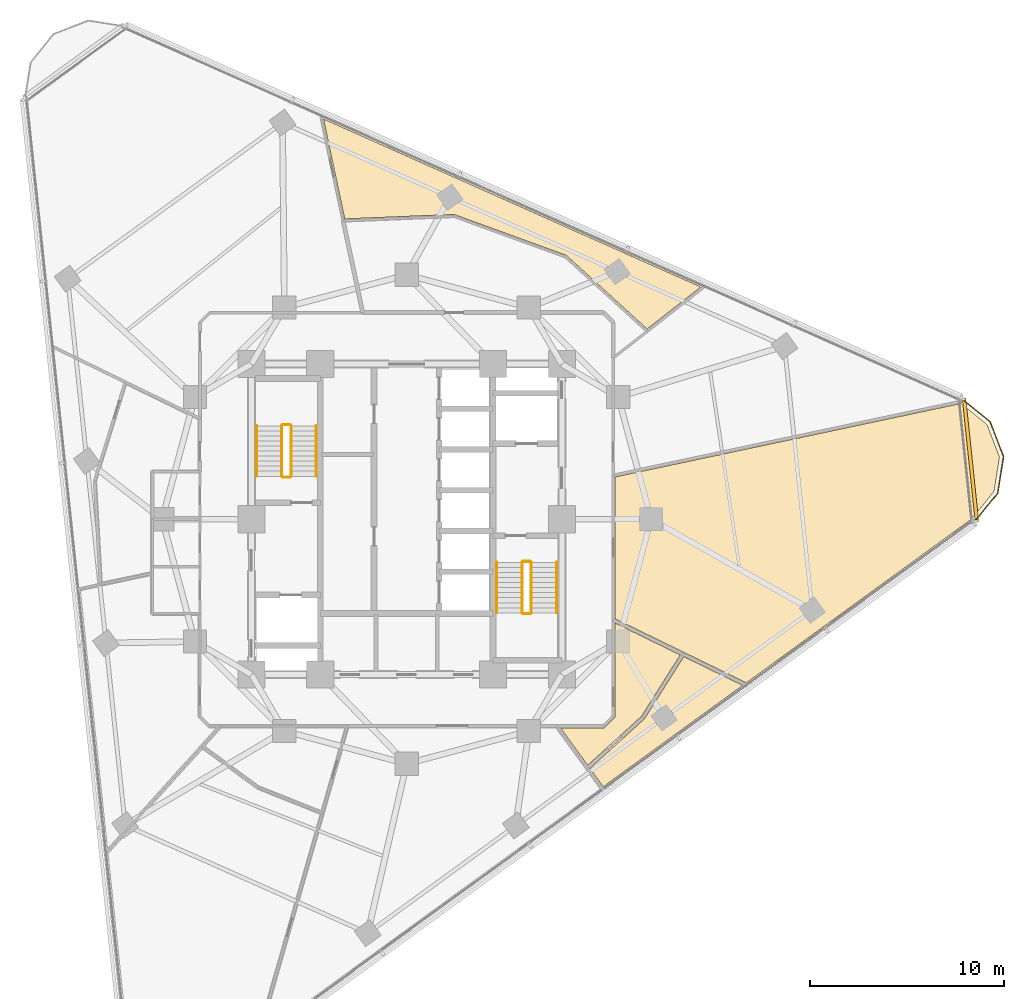
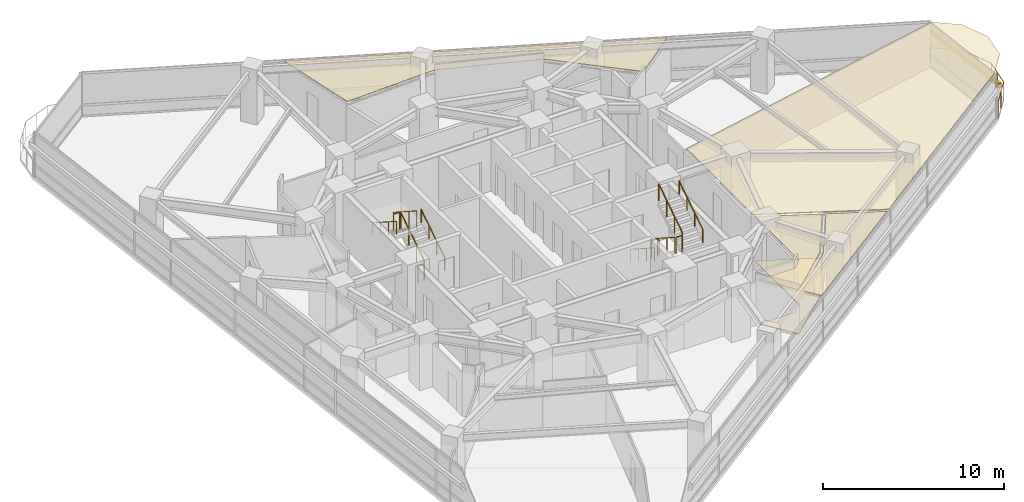
# One storey, part 13 of 14: 13 railings, 5 coverings, 1 shading device.
"""IFC4 building model written with IfcOpenShell, lengths in metres."""

from ifc_helpers import new_model, si_unit, direction, frame, origin, origin_2d, place, context, subcontext, project, spatial, polyline, rectangle, circle, outline, extrude, material, layer, layer_set, type_object, element, save


model = new_model("IFC4")

# Units and contexts
model_context = context("Model", 3, precision=1e-05, world=origin(), true_north=direction((0.0, 1.0)))
body_context = subcontext(model_context, "Body", "Model", "MODEL_VIEW")
ifc_project = project(units=[si_unit("LENGTHUNIT", "METRE"), si_unit("AREAUNIT", "SQUARE_METRE"), si_unit("VOLUMEUNIT", "CUBIC_METRE"), si_unit("PLANEANGLEUNIT", "RADIAN"), si_unit("MASSUNIT", "GRAM", prefix="KILO")], contexts=[model_context])

# Site, building, storey
site_placement = place(None, origin())
site = spatial("IfcSite", under=ifc_project, at=site_placement, CompositionType="ELEMENT")
building_placement = place(site_placement, origin())
building = spatial("IfcBuilding", under=site, at=building_placement, Name="Terralouvre Media Tower", CompositionType="ELEMENT")
storey_placement = place(building_placement, frame((0.0, 0.0, 169.39990234375)))
storey = spatial("IfcBuildingStorey", under=building, at=storey_placement, Name="L43", CompositionType="ELEMENT", Elevation=169.39990234375)

# Coverings
ifc_material_1 = material(Name="Resilient elastomer acoustic broadcast studio flooring")
ifc_layer_1 = layer(ifc_material_1, 0.050048828125, Name="Broadcast Studio Acoustic Floating Floor FL-AC1")
ifc_layer_set_1 = layer_set([ifc_layer_1], Name="Resilient elastomer acoustic broadcast studio flooring")
covering_type_1 = type_object("IfcCoveringType", Name="Broadcast Studio Acoustic Floating Floor FL-AC1", PredefinedType="FLOORING", material=ifc_layer_set_1)
covering_1_placement = place(storey_placement, frame((0.0, 0.0, 0.0), z_axis=(0.0, 0.0, 1.0), x_axis=(0.809016994375, 0.587785252292, 0.0)))
element("IfcCovering", 1, at=covering_1_placement, inside=storey, type_object=covering_type_1, Name="L43 Media Reference Library 5 Acoustic Floating Floor", PredefinedType="FLOORING", context=body_context, shape_type="SweptSolid", body=[
    extrude(outline(polyline([(3.822265625, -15.329345703125), (7.2998046875, -13.942626953125), (5.5498046875, -10.650146484375), (2.73095703125, -14.5302734375), (2.724853515625, -14.537841796875), (2.718017578125, -14.544921875), (2.71044921875, -14.55126953125), (2.7021484375, -14.556640625), (2.693603515625, -14.561279296875), (2.6845703125, -14.565185546875), (2.67529296875, -14.568115234375), (2.665771484375, -14.570068359375), (1.96728515625, -14.680908203125), (1.95751953125, -14.681884765625), (1.94775390625, -14.681884765625), (1.93798828125, -14.68115234375), (1.92822265625, -14.67919921875), (1.918701171875, -14.676513671875), (1.90966796875, -14.6728515625), (1.901123046875, -14.668212890625), (1.892822265625, -14.662841796875), (0.100341796875, -13.360595703125), (0.10009765625, -15.737548828125), (3.822265625, -15.329345703125)])), origin(), (0.0, 0.0, 1.0), 0.050048828125),
])
ifc_material_2 = material(Name="Perforated aluminium acoustic ceiling baffle", Category="aluminium")
ifc_layer_2 = layer(ifc_material_2, 0.0400390625, Name="Perforated Acoustic Metal Tile Ceiling CL-AC1")
ifc_layer_set_2 = layer_set([ifc_layer_2], Name="Perforated aluminium acoustic ceiling baffle")
covering_type_2 = type_object("IfcCoveringType", Name="Perforated Acoustic Metal Tile Ceiling CL-AC1", PredefinedType="CEILING", material=ifc_layer_set_2)
covering_2_placement = place(storey_placement, frame((0.0, 0.0, 2.97998046875), z_axis=(0.0, 0.0, 1.0), x_axis=(0.809016994375, 0.587785252292, 0.0)))
element("IfcCovering", 2, at=covering_2_placement, inside=storey, type_object=covering_type_2, Name="L43 Media Reference Library 5 Acoustic Ceiling", PredefinedType="CEILING", context=body_context, shape_type="SweptSolid", body=[
    extrude(outline(polyline([(3.822265625, -15.329345703125), (7.2998046875, -13.942626953125), (5.5498046875, -10.650146484375), (2.73095703125, -14.5302734375), (2.724853515625, -14.537841796875), (2.718017578125, -14.544921875), (2.71044921875, -14.55126953125), (2.7021484375, -14.556640625), (2.693603515625, -14.561279296875), (2.6845703125, -14.565185546875), (2.67529296875, -14.568115234375), (2.665771484375, -14.570068359375), (1.96728515625, -14.680908203125), (1.95751953125, -14.681884765625), (1.94775390625, -14.681884765625), (1.93798828125, -14.68115234375), (1.92822265625, -14.67919921875), (1.918701171875, -14.676513671875), (1.90966796875, -14.6728515625), (1.901123046875, -14.668212890625), (1.892822265625, -14.662841796875), (0.100341796875, -13.360595703125), (0.10009765625, -15.737548828125), (3.822265625, -15.329345703125)])), origin(), (0.0, 0.0, 1.0), 0.0400390625),
])
covering_3_placement = place(storey_placement, frame((0.0, 0.0, 2.97998046875), z_axis=(0.0, 0.0, 1.0), x_axis=(0.809016994375, 0.587785252292, 0.0)))
element("IfcCovering", 3, at=covering_3_placement, inside=storey, type_object=covering_type_2, Name="L43 Periodicals Reading Club 6 Acoustic Ceiling", PredefinedType="CEILING", context=body_context, shape_type="SweptSolid", body=[
    extrude(outline(polyline([(3.8837890625, -15.520263671875), (3.875244140625, -15.523193359375), (3.866455078125, -15.525390625), (3.857421875, -15.52685546875), (0.10009765625, -15.938720703125), (0.099609375, -17.105712890625), (8.98193359375, -17.10498046875), (7.394287109375, -14.1201171875), (3.8837890625, -15.520263671875)])), origin(), (0.0, 0.0, 1.0), 0.0400390625),
])
covering_4_placement = place(storey_placement, frame((0.0, 0.0, 2.97998046875), z_axis=(0.0, 0.0, 1.0), x_axis=(0.809016994375, 0.587785252292, 0.0)))
element("IfcCovering", 4, at=covering_4_placement, inside=storey, type_object=covering_type_2, Name="L43 Faculty Consultation Office 7 Acoustic Ceiling", PredefinedType="CEILING", context=body_context, shape_type="SweptSolid", body=[
    extrude(outline(polyline([(5.6806640625, -10.47021484375), (7.52880859375, -13.947021484375), (9.208251953125, -17.10498046875), (23.571044921875, -17.105224609375), (25.335693359375, -16.63232421875), (26.60693359375, -15.36181640625), (27.072509765625, -13.6259765625), (26.626953125, -11.964599609375), (9.97998046875, -4.552490234375), (5.6806640625, -10.47021484375)])), origin(), (0.0, 0.0, 1.0), 0.0400390625),
])
covering_5_placement = place(storey_placement, frame((0.0, 0.0, 2.97998046875), z_axis=(0.0, 0.0, 1.0), x_axis=(0.809016994375, 0.587785252292, 0.0)))
element("IfcCovering", 5, at=covering_5_placement, inside=storey, type_object=covering_type_2, Name="L43 Student Project Breakout Room 9 Acoustic Ceiling", PredefinedType="CEILING", context=body_context, shape_type="SweptSolid", body=[
    extrude(outline(polyline([(11.195068359375, 11.288330078125), (11.203125, 11.28271484375), (11.210205078125, 11.276123046875), (11.216796875, 11.26904296875), (11.22265625, 11.26123046875), (14.64501953125, 6.1875), (14.650146484375, 6.17919921875), (14.654296875, 6.17041015625), (14.65771484375, 6.1611328125), (14.66015625, 6.15185546875), (15.795654296875, 0.65185546875), (19.30419921875, 0.7744140625), (8.6611328125, 19.20849609375), (6.521728515625, 14.4013671875), (11.195068359375, 11.288330078125)])), origin(), (0.0, 0.0, 1.0), 0.0400390625),
])

# Railings
ifc_material_3 = material(Name="Stainless steel 316 handrail and balustrade", Category="steel")
ifc_layer_3 = layer(ifc_material_3, 0.06005859375, Name="Roof Edge Safety Guardrail GR-ROOF1")
ifc_layer_set_3 = layer_set([ifc_layer_3], Name="Stainless steel 316 handrail and balustrade")
railing_type_1 = type_object("IfcRailingType", Name="Roof Edge Safety Guardrail GR-ROOF1", PredefinedType="GUARDRAIL", material=ifc_layer_set_3)
railing_1_placement = place(storey_placement, frame((29.261474609375, -0.144775390625, 0.0)))
element("IfcRailing", 6, at=railing_1_placement, inside=storey, type_object=railing_type_1, Name="L43 Wind-Corner Perimeter Safety Guardrail C1", PredefinedType="GUARDRAIL", context=body_context, shape_type="SweptSolid", body=[
    extrude(circle(Radius=0.02099609375, at=origin_2d()), frame((0.0, 0.0, 1.12890625), z_axis=(0.629487951206, 0.777010244004, 0.0), x_axis=(-0.777010244004, 0.629487951206, 0.0)), (0.0, 0.0, 1.0), 1.914794921875),
    extrude(circle(Radius=0.02099609375, at=origin_2d()), frame((1.205322265625, 1.48779296875, 1.12890625), z_axis=(0.156493053434, 0.987679059324, 0.0), x_axis=(-0.987679059324, 0.156493053434, 0.0)), (0.0, 0.0, 1.0), 1.914306640625),
    extrude(circle(Radius=0.02099609375, at=origin_2d()), frame((1.5048828125, 3.37841796875, 1.12890625), z_axis=(-0.358380762009, 0.933575508152, 0.0), x_axis=(-0.933575508152, -0.358380762009, 0.0)), (0.0, 0.0, 1.0), 1.914306640625),
    extrude(circle(Radius=0.02099609375, at=origin_2d()), frame((0.81884765625, 5.16552734375, 1.12890625), z_axis=(-0.777298317119, 0.629132200896, 0.0), x_axis=(-0.629132200896, -0.777298317119, 0.0)), (0.0, 0.0, 1.0), 1.914794921875),
    extrude(circle(Radius=0.01904296875, at=origin_2d()), origin(), (0.0, 0.0, 1.0), 1.10791015625),
    extrude(circle(Radius=0.01904296875, at=origin_2d()), frame((0.6025390625, 0.743896484375, 0.0)), (0.0, 0.0, 1.0), 1.10791015625),
    extrude(circle(Radius=0.01904296875, at=origin_2d()), frame((1.205322265625, 1.48779296875, 0.0)), (0.0, 0.0, 1.0), 1.10791015625),
    extrude(circle(Radius=0.01904296875, at=origin_2d()), frame((1.35498046875, 2.43310546875, 0.0)), (0.0, 0.0, 1.0), 1.10791015625),
    extrude(circle(Radius=0.01904296875, at=origin_2d()), frame((1.5048828125, 3.37841796875, 0.0)), (0.0, 0.0, 1.0), 1.10791015625),
    extrude(circle(Radius=0.01904296875, at=origin_2d()), frame((1.161865234375, 4.27197265625, 0.0)), (0.0, 0.0, 1.0), 1.10791015625),
    extrude(circle(Radius=0.01904296875, at=origin_2d()), frame((0.81884765625, 5.16552734375, 0.0)), (0.0, 0.0, 1.0), 1.10791015625),
    extrude(circle(Radius=0.01904296875, at=origin_2d()), frame((0.07470703125, 5.767822265625, 0.0)), (0.0, 0.0, 1.0), 1.10791015625),
    extrude(circle(Radius=0.01904296875, at=origin_2d()), frame((-0.66943359375, 6.3701171875, 0.0)), (0.0, 0.0, 1.0), 1.10791015625),
])
ifc_material_4 = material(Name="Stainless steel 316 handrail and balustrade", Category="steel")
ifc_layer_4 = layer(ifc_material_4, 0.050048828125, Name="Stair Flight Wall Handrail HR-INT1")
ifc_layer_set_4 = layer_set([ifc_layer_4], Name="Stainless steel 316 handrail and balustrade")
railing_type_2 = type_object("IfcRailingType", Name="Stair Flight Wall Handrail HR-INT1", PredefinedType="HANDRAIL", material=ifc_layer_set_4)
railing_2_placement = place(storey_placement, frame((-4.64990234375, 2.219970703125, 0.168212890625)))
element("IfcRailing", 7, at=railing_2_placement, inside=storey, type_object=railing_type_2, Name="L43 ST-01 stair handrail 1", PredefinedType="HANDRAIL", context=body_context, shape_type="SweptSolid", body=[
    extrude(circle(Radius=0.02392578125, at=origin_2d()), frame((0.0, 0.0, 0.8759765625), z_axis=(0.0, 0.839648411786, 0.543130320075), x_axis=(-1.0, 0.0, 0.0)), (0.0, 0.0, 1.0), 3.0966796875),
    extrude(circle(Radius=0.02099609375, at=origin_2d()), origin(), (0.0, 0.0, 1.0), 0.851806640625),
    extrude(circle(Radius=0.02099609375, at=origin_2d()), frame((0.0, 0.86669921875, 0.560546875)), (0.0, 0.0, 1.0), 0.851806640625),
    extrude(circle(Radius=0.02099609375, at=origin_2d()), frame((0.0, 1.7333984375, 1.121337890625)), (0.0, 0.0, 1.0), 0.851806640625),
    extrude(circle(Radius=0.02099609375, at=origin_2d()), frame((0.0, 2.60009765625, 1.681884765625)), (0.0, 0.0, 1.0), 0.851806640625),
])
for number, where, name in (
    (8, (-7.72998046875, 4.820068359375, 2.018310546875), "L43 ST-01 stair handrail 2"),
    (9, (4.64990234375, -2.219970703125, 0.168212890625), "L43 ST-02 stair handrail 1"),
):
    element("IfcRailing", number, at=place(storey_placement, frame(where)), inside=storey, type_object=railing_type_2, Name=name, PredefinedType="HANDRAIL", context=body_context, shape_type="SweptSolid", body=[
        extrude(circle(Radius=0.02392578125, at=origin_2d()), frame((0.0, 0.0, 0.8759765625), z_axis=(0.0, -0.839648411786, 0.543130320075), x_axis=(1.0, 0.0, 0.0)), (0.0, 0.0, 1.0), 3.0966796875),
        extrude(circle(Radius=0.02099609375, at=origin_2d()), origin(), (0.0, 0.0, 1.0), 0.851806640625),
        extrude(circle(Radius=0.02099609375, at=origin_2d()), frame((0.0, -0.86669921875, 0.560546875)), (0.0, 0.0, 1.0), 0.851806640625),
        extrude(circle(Radius=0.02099609375, at=origin_2d()), frame((0.0, -1.7333984375, 1.121337890625)), (0.0, 0.0, 1.0), 0.851806640625),
        extrude(circle(Radius=0.02099609375, at=origin_2d()), frame((0.0, -2.60009765625, 1.681884765625)), (0.0, 0.0, 1.0), 0.851806640625),
    ])
railing_3_placement = place(storey_placement, frame((7.72998046875, -4.820068359375, 2.018310546875)))
element("IfcRailing", 10, at=railing_3_placement, inside=storey, type_object=railing_type_2, Name="L43 ST-02 stair handrail 2", PredefinedType="HANDRAIL", context=body_context, shape_type="SweptSolid", body=[
    extrude(circle(Radius=0.02392578125, at=origin_2d()), frame((0.0, 0.0, 0.8759765625), z_axis=(0.0, 0.839648411786, 0.543130320075), x_axis=(-1.0, 0.0, 0.0)), (0.0, 0.0, 1.0), 3.0966796875),
    extrude(circle(Radius=0.02099609375, at=origin_2d()), origin(), (0.0, 0.0, 1.0), 0.851806640625),
    extrude(circle(Radius=0.02099609375, at=origin_2d()), frame((0.0, 0.86669921875, 0.560546875)), (0.0, 0.0, 1.0), 0.851806640625),
    extrude(circle(Radius=0.02099609375, at=origin_2d()), frame((0.0, 1.7333984375, 1.121337890625)), (0.0, 0.0, 1.0), 0.851806640625),
    extrude(circle(Radius=0.02099609375, at=origin_2d()), frame((0.0, 2.60009765625, 1.681884765625)), (0.0, 0.0, 1.0), 0.851806640625),
])
ifc_material_5 = material(Name="Stainless steel 316 handrail and balustrade", Category="steel")
ifc_layer_5 = layer(ifc_material_5, 0.050048828125, Name="Stairwell Safety Guardrail GR-INT1")
ifc_layer_set_5 = layer_set([ifc_layer_5], Name="Stainless steel 316 handrail and balustrade")
railing_type_3 = type_object("IfcRailingType", Name="Stairwell Safety Guardrail GR-INT1", PredefinedType="GUARDRAIL", material=ifc_layer_set_5)
railing_4_placement = place(storey_placement, frame((-5.949951171875, 2.219970703125, 0.168212890625)))
element("IfcRailing", 11, at=railing_4_placement, inside=storey, type_object=railing_type_3, Name="L43 ST-01 stair guard 1", PredefinedType="GUARDRAIL", context=body_context, shape_type="SweptSolid", body=[
    extrude(circle(Radius=0.02392578125, at=origin_2d()), frame((0.0, 0.0, 1.1259765625), z_axis=(0.0, 0.839648411786, 0.543130320075), x_axis=(-1.0, 0.0, 0.0)), (0.0, 0.0, 1.0), 3.0966796875),
    extrude(circle(Radius=0.02099609375, at=origin_2d()), origin(), (0.0, 0.0, 1.0), 1.101806640625),
    extrude(circle(Radius=0.02099609375, at=origin_2d()), frame((0.0, 0.86669921875, 0.560546875)), (0.0, 0.0, 1.0), 1.101806640625),
    extrude(circle(Radius=0.02099609375, at=origin_2d()), frame((0.0, 1.7333984375, 1.121337890625)), (0.0, 0.0, 1.0), 1.101806640625),
    extrude(circle(Radius=0.02099609375, at=origin_2d()), frame((0.0, 2.60009765625, 1.681884765625)), (0.0, 0.0, 1.0), 1.101806640625),
])
railing_5_placement = place(storey_placement, frame((-6.0, 4.8701171875, 1.85009765625)))
element("IfcRailing", 12, at=railing_5_placement, inside=storey, type_object=railing_type_3, Name="L43 ST-01 stair guard 2", PredefinedType="GUARDRAIL", context=body_context, shape_type="SweptSolid", body=[
    extrude(circle(Radius=0.02392578125, at=origin_2d()), frame((0.0, 0.0, 1.1259765625), z_axis=(-1.0, 0.0, 0.0), x_axis=(0.0, -1.0, 0.0)), (0.0, 0.0, 1.0), 0.3798828125),
    extrude(circle(Radius=0.02099609375, at=origin_2d()), origin(), (0.0, 0.0, 1.0), 1.101806640625),
    extrude(circle(Radius=0.02099609375, at=origin_2d()), frame((-0.3798828125, 0.0, 0.0)), (0.0, 0.0, 1.0), 1.101806640625),
])
railing_6_placement = place(storey_placement, frame((-6.429931640625, 4.820068359375, 2.018310546875)))
element("IfcRailing", 13, at=railing_6_placement, inside=storey, type_object=railing_type_3, Name="L43 ST-01 stair guard 3", PredefinedType="GUARDRAIL", context=body_context, shape_type="SweptSolid", body=[
    extrude(circle(Radius=0.02392578125, at=origin_2d()), frame((0.0, 0.0, 1.1259765625), z_axis=(0.0, -0.839648411786, 0.543130320075), x_axis=(1.0, 0.0, 0.0)), (0.0, 0.0, 1.0), 3.0966796875),
    extrude(circle(Radius=0.02099609375, at=origin_2d()), origin(), (0.0, 0.0, 1.0), 1.101806640625),
    extrude(circle(Radius=0.02099609375, at=origin_2d()), frame((0.0, -0.86669921875, 0.560546875)), (0.0, 0.0, 1.0), 1.101806640625),
    extrude(circle(Radius=0.02099609375, at=origin_2d()), frame((0.0, -1.7333984375, 1.121337890625)), (0.0, 0.0, 1.0), 1.101806640625),
    extrude(circle(Radius=0.02099609375, at=origin_2d()), frame((0.0, -2.60009765625, 1.681884765625)), (0.0, 0.0, 1.0), 1.101806640625),
])
railing_7_placement = place(storey_placement, frame((-6.0, 2.169921875, 0.0)))
element("IfcRailing", 14, at=railing_7_placement, inside=storey, type_object=railing_type_3, Name="L43 ST-01 stair guard 4", PredefinedType="GUARDRAIL", context=body_context, shape_type="SweptSolid", body=[
    extrude(circle(Radius=0.02392578125, at=origin_2d()), frame((0.0, 0.0, 1.1259765625), z_axis=(-1.0, 0.0, 0.0), x_axis=(0.0, -1.0, 0.0)), (0.0, 0.0, 1.0), 0.3798828125),
    extrude(circle(Radius=0.02099609375, at=origin_2d()), origin(), (0.0, 0.0, 1.0), 1.101806640625),
    extrude(circle(Radius=0.02099609375, at=origin_2d()), frame((-0.3798828125, 0.0, 0.0)), (0.0, 0.0, 1.0), 1.101806640625),
])
railing_8_placement = place(storey_placement, frame((5.949951171875, -2.219970703125, 0.168212890625)))
element("IfcRailing", 15, at=railing_8_placement, inside=storey, type_object=railing_type_3, Name="L43 ST-02 stair guard 1", PredefinedType="GUARDRAIL", context=body_context, shape_type="SweptSolid", body=[
    extrude(circle(Radius=0.02392578125, at=origin_2d()), frame((0.0, 0.0, 1.1259765625), z_axis=(0.0, -0.839648411786, 0.543130320075), x_axis=(1.0, 0.0, 0.0)), (0.0, 0.0, 1.0), 3.0966796875),
    extrude(circle(Radius=0.02099609375, at=origin_2d()), origin(), (0.0, 0.0, 1.0), 1.101806640625),
    extrude(circle(Radius=0.02099609375, at=origin_2d()), frame((0.0, -0.86669921875, 0.560546875)), (0.0, 0.0, 1.0), 1.101806640625),
    extrude(circle(Radius=0.02099609375, at=origin_2d()), frame((0.0, -1.7333984375, 1.121337890625)), (0.0, 0.0, 1.0), 1.101806640625),
    extrude(circle(Radius=0.02099609375, at=origin_2d()), frame((0.0, -2.60009765625, 1.681884765625)), (0.0, 0.0, 1.0), 1.101806640625),
])
railing_9_placement = place(storey_placement, frame((6.0, -4.8701171875, 1.85009765625)))
element("IfcRailing", 16, at=railing_9_placement, inside=storey, type_object=railing_type_3, Name="L43 ST-02 stair guard 2", PredefinedType="GUARDRAIL", context=body_context, shape_type="SweptSolid", body=[
    extrude(circle(Radius=0.02392578125, at=origin_2d()), frame((0.0, 0.0, 1.1259765625), z_axis=(1.0, 0.0, 0.0), x_axis=(0.0, 1.0, 0.0)), (0.0, 0.0, 1.0), 0.3798828125),
    extrude(circle(Radius=0.02099609375, at=origin_2d()), origin(), (0.0, 0.0, 1.0), 1.101806640625),
    extrude(circle(Radius=0.02099609375, at=origin_2d()), frame((0.3798828125, 0.0, 0.0)), (0.0, 0.0, 1.0), 1.101806640625),
])
railing_10_placement = place(storey_placement, frame((6.429931640625, -4.820068359375, 2.018310546875)))
element("IfcRailing", 17, at=railing_10_placement, inside=storey, type_object=railing_type_3, Name="L43 ST-02 stair guard 3", PredefinedType="GUARDRAIL", context=body_context, shape_type="SweptSolid", body=[
    extrude(circle(Radius=0.02392578125, at=origin_2d()), frame((0.0, 0.0, 1.1259765625), z_axis=(0.0, 0.839648411786, 0.543130320075), x_axis=(-1.0, 0.0, 0.0)), (0.0, 0.0, 1.0), 3.0966796875),
    extrude(circle(Radius=0.02099609375, at=origin_2d()), origin(), (0.0, 0.0, 1.0), 1.101806640625),
    extrude(circle(Radius=0.02099609375, at=origin_2d()), frame((0.0, 0.86669921875, 0.560546875)), (0.0, 0.0, 1.0), 1.101806640625),
    extrude(circle(Radius=0.02099609375, at=origin_2d()), frame((0.0, 1.7333984375, 1.121337890625)), (0.0, 0.0, 1.0), 1.101806640625),
    extrude(circle(Radius=0.02099609375, at=origin_2d()), frame((0.0, 2.60009765625, 1.681884765625)), (0.0, 0.0, 1.0), 1.101806640625),
])
railing_11_placement = place(storey_placement, frame((6.0, -2.169921875, 0.0)))
element("IfcRailing", 18, at=railing_11_placement, inside=storey, type_object=railing_type_3, Name="L43 ST-02 stair guard 4", PredefinedType="GUARDRAIL", context=body_context, shape_type="SweptSolid", body=[
    extrude(circle(Radius=0.02392578125, at=origin_2d()), frame((0.0, 0.0, 1.1259765625), z_axis=(1.0, 0.0, 0.0), x_axis=(0.0, 1.0, 0.0)), (0.0, 0.0, 1.0), 0.3798828125),
    extrude(circle(Radius=0.02099609375, at=origin_2d()), origin(), (0.0, 0.0, 1.0), 1.101806640625),
    extrude(circle(Radius=0.02099609375, at=origin_2d()), frame((0.3798828125, 0.0, 0.0)), (0.0, 0.0, 1.0), 1.101806640625),
])

# Shading device
ifc_material_6 = material(Name="Extruded terracotta baguette sunshade louvres", Category="masonry")
shading_device_type = type_object("IfcShadingDeviceType", Name="Terracotta Baguette Sunshade Louvre Screen TB-LV1", PredefinedType="USERDEFINED", material=ifc_material_6)
shading_device_placement = place(storey_placement, frame((29.060791015625, 3.054443359375, 2.02392578125), z_axis=(0.0, 0.0, 1.0), x_axis=(-0.10452850319, 0.994521891172, 0.0)))
element("IfcShadingDevice", 19, at=shading_device_placement, inside=storey, type_object=shading_device_type, Name="CW-L43-C1 Terracotta Baguette Sunshade Louvre", ObjectType="BAGUETTE", PredefinedType="USERDEFINED", context=body_context, shape_type="SweptSolid", body=[
    extrude(rectangle(XDim=6.40869140625, YDim=0.179931640625, at=origin_2d()), origin(), (0.0, 0.0, 1.0), 0.280029296875),
])

save(model, "model.ifc")
